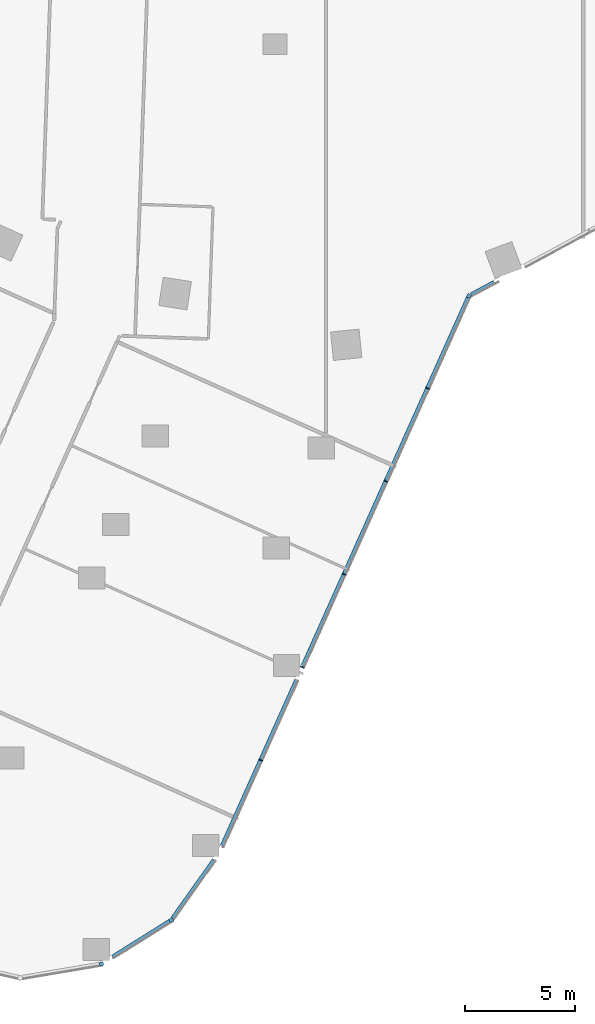
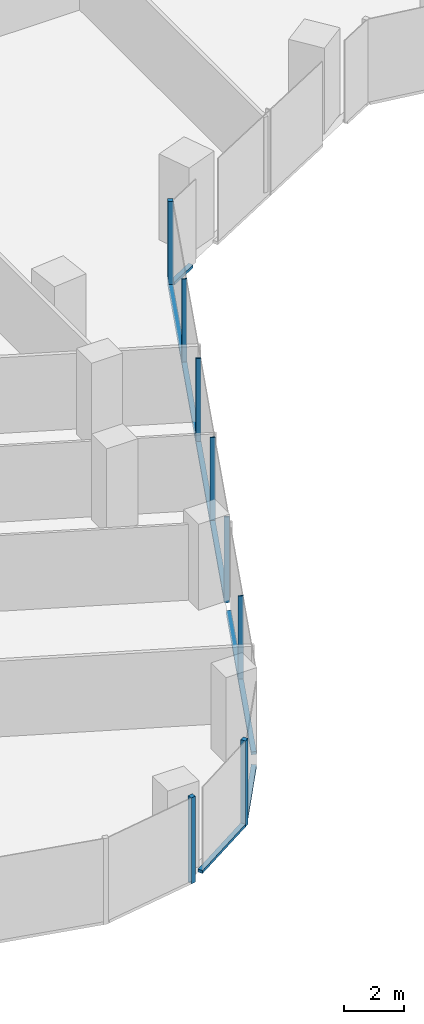
# One storey, part 5 of 34: 13 members, 5 elements without a shape of their own.
"""IFC4 building model written with IfcOpenShell, lengths in metres."""

import ifcopenshell
import ifcopenshell.guid

model = None  # the IFC model being written
_history = None  # IfcOwnerHistory: only IFC2X3 demands one
_inside = {}  # id of a spatial element -> (the spatial element, [elements in it])
_under = {}  # id of a project, library or spatial element -> (it, [spatial elements below it])
_declared = {}  # id of a project -> (the project, [libraries it declares])
_typed = {}  # id of a type object -> (the type object, [elements of that type])
_made_of = {}  # id of a material, layer set ... -> (it, [elements and type objects made of it])


def new_model(schema):
    """Start an empty IFC model of exactly this schema.

    Asked for "IFC4X3", IfcOpenShell would pick the latest addendum, in which some entities
    have other attributes; the version numbers below select the first issue.
    IFC2X3 requires an IfcOwnerHistory on every rooted entity: one is made here for all.
    """
    global model, _history
    if schema == "IFC4X3":
        model = ifcopenshell.file(schema_version=(4, 3, 0, 0))
    else:
        model = ifcopenshell.file(schema=schema)
    _inside.clear()
    _under.clear()
    _declared.clear()
    _typed.clear()
    _made_of.clear()
    _history = None
    if model.schema == "IFC2X3":
        org = make("IfcOrganization", Name="unknown")
        user = make(
            "IfcPersonAndOrganization",
            ThePerson=make("IfcPerson", FamilyName="unknown"),
            TheOrganization=org,
        )
        app = make(
            "IfcApplication",
            ApplicationDeveloper=org,
            Version="unknown",
            ApplicationFullName="unknown",
            ApplicationIdentifier="unknown",
        )
        _history = make(
            "IfcOwnerHistory",
            OwningUser=user,
            OwningApplication=app,
            ChangeAction="ADDED",
            CreationDate=0,
        )
    return model


def make(cls, **values):
    """One entity of the class cls with the attributes given. An attribute that is None is left unset."""
    return model.create_entity(
        cls, **{name: value for name, value in values.items() if value is not None}
    )


def rooted(cls, **values):
    """An entity with a GlobalId (a new one), such as an element, a storey or a relation."""
    return make(cls, GlobalId=ifcopenshell.guid.new(), OwnerHistory=_history, **values)


def si_unit(unit_type, name, prefix=None):
    """IfcSIUnit, for example si_unit("LENGTHUNIT", "METRE", prefix="MILLI")."""
    return make("IfcSIUnit", UnitType=unit_type, Prefix=prefix, Name=name)


def assignment(units):
    """IfcUnitAssignment: the units of a project."""
    return None if units is None else make("IfcUnitAssignment", Units=units)


def point(xyz):
    """IfcCartesianPoint."""
    return None if xyz is None else make("IfcCartesianPoint", Coordinates=xyz)


def direction(xyz):
    """IfcDirection."""
    return None if xyz is None else make("IfcDirection", DirectionRatios=xyz)


def frame(location, z_axis=None, x_axis=None):
    """IfcAxis2Placement3D, a coordinate frame: its origin and axes. An axis left out is left unset."""
    return make(
        "IfcAxis2Placement3D",
        Location=point(location),
        Axis=direction(z_axis),
        RefDirection=direction(x_axis),
    )


def frame_2d(location, x_axis=None):
    """IfcAxis2Placement2D, a coordinate frame in the plane: its origin and x axis."""
    return make(
        "IfcAxis2Placement2D", Location=point(location), RefDirection=direction(x_axis)
    )


def origin():
    """The frame at (0, 0, 0) with its axes left unset."""
    return frame((0.0, 0.0, 0.0))


def origin_2d():
    """The frame at (0, 0) in the plane with its x axis left unset."""
    return frame_2d((0.0, 0.0))


def place(relative_to, where):
    """IfcLocalPlacement: puts the frame where relative to a parent placement (None: the world)."""
    return make(
        "IfcLocalPlacement", PlacementRelTo=relative_to, RelativePlacement=where
    )


def context(
    kind, dimensions, precision=None, world=None, true_north=None, identifier=None
):
    """IfcGeometricRepresentationContext, for example the 3D "Model" context."""
    return make(
        "IfcGeometricRepresentationContext",
        ContextIdentifier=identifier,
        ContextType=kind,
        CoordinateSpaceDimension=dimensions,
        Precision=precision,
        WorldCoordinateSystem=world,
        TrueNorth=true_north,
    )


def subcontext(parent, identifier, kind, view, scale=None):
    """IfcGeometricRepresentationSubContext, for example "Body" below "Model"."""
    return make(
        "IfcGeometricRepresentationSubContext",
        ContextIdentifier=identifier,
        ContextType=kind,
        ParentContext=parent,
        TargetScale=scale,
        TargetView=view,
    )


def project(units=None, contexts=None):
    """IfcProject with its units and contexts."""
    return rooted(
        "IfcProject",
        Name="project",
        RepresentationContexts=contexts,
        UnitsInContext=assignment(units),
    )


def spatial(cls, under=None, at=None, **own):
    """A site, building, storey or space (cls), placed at a placement, below another one or the project."""
    s = rooted(cls, ObjectPlacement=at, **own)
    if under is not None:
        _under.setdefault(under.id(), (under, []))[1].append(s)
    return s


def profile(cls, at=None, kind="AREA", **sizes):
    """A parametric profile (cls). Its sizes go by their IFC names, for example OverallWidth=200.0."""
    return make(cls, ProfileType=kind, Position=at, **sizes)


def rectangle(**sizes):
    """IfcRectangleProfileDef."""
    return profile("IfcRectangleProfileDef", **sizes)


def extrude(swept, where, along, depth):
    """IfcExtrudedAreaSolid: the profile swept, set in the frame where, extruded along a direction by depth."""
    return make(
        "IfcExtrudedAreaSolid",
        SweptArea=swept,
        Position=where,
        ExtrudedDirection=direction(along),
        Depth=depth,
    )


def shape(context_of_items, identifier, shape_type, items):
    """IfcShapeRepresentation: the items that make up one representation, for example the "Body"."""
    return make(
        "IfcShapeRepresentation",
        ContextOfItems=context_of_items,
        RepresentationIdentifier=identifier,
        RepresentationType=shape_type,
        Items=items,
    )


def material(Name=None, Category=None):
    """IfcMaterial."""
    return make("IfcMaterial", Name=Name, Category=Category)


def material_profile(
    of_material, cross_section, Name=None, Category=None, Priority=None
):
    """IfcMaterialProfile: a cross section and its material."""
    return make(
        "IfcMaterialProfile",
        Name=Name,
        Material=of_material,
        Profile=cross_section,
        Priority=Priority,
        Category=Category,
    )


def profile_set(profiles, Name=None, composite=None):
    """IfcMaterialProfileSet."""
    return make(
        "IfcMaterialProfileSet",
        Name=Name,
        MaterialProfiles=profiles,
        CompositeProfile=composite,
    )


def made_of(thing, what):
    """Note that an element or type object is made of a material, layer set ...; save() writes the relation."""
    if what is not None:
        _made_of.setdefault(what.id(), (what, []))[1].append(thing)
    return thing


def type_object(cls, material=None, **own):
    """A type object (cls), such as IfcWallType, which elements share."""
    return made_of(rooted(cls, **own), material)


def element(
    cls,
    number,
    at=None,
    inside=None,
    cuts=None,
    type_object=None,
    material=None,
    context=None,
    identifier="Body",
    shape_type=None,
    held_by="IfcProductDefinitionShape",
    body=None,
    shapes=None,
    **own,
):
    """One element of the class cls, such as IfcWall. Its Tag is "e" and its number.

    at: its placement. inside: the storey or other place that contains it. cuts: it is an
    opening in that element (IfcRelVoidsElement). A single representation is given by context,
    identifier, shape_type and body (its items); several are given by shapes. held_by: the class
    of the entity that holds the representations. save() writes the other relations.
    """
    e = rooted(cls, Tag="e%d" % number, ObjectPlacement=at, **own)
    if body is not None:
        shapes = [shape(context, identifier, shape_type, body)]
    if shapes is not None:
        e.Representation = make(held_by, Representations=shapes)
    if inside is not None:
        _inside.setdefault(inside.id(), (inside, []))[1].append(e)
    if cuts is not None:
        rooted(
            "IfcRelVoidsElement", RelatingBuildingElement=cuts, RelatedOpeningElement=e
        )
    if type_object is not None:
        _typed.setdefault(type_object.id(), (type_object, []))[1].append(e)
    return made_of(e, material)


def aggregate(whole, parts):
    """IfcRelAggregates: a whole, such as a stair, and the parts it consists of."""
    return rooted("IfcRelAggregates", RelatingObject=whole, RelatedObjects=parts)


def save(model, path):
    """Write the relations noted so far, then the file.

    IfcRelAggregates (storeys below a building ...), IfcRelContainedInSpatialStructure (elements
    in a storey), IfcRelDefinesByType, IfcRelAssociatesMaterial and IfcRelDeclares: one each for
    every whole, place, type object, material and project.
    """
    for whole, parts in _under.values():
        aggregate(whole, parts)
    for where, things in _inside.values():
        rooted(
            "IfcRelContainedInSpatialStructure",
            RelatedElements=things,
            RelatingStructure=where,
        )
    for kind, things in _typed.values():
        rooted("IfcRelDefinesByType", RelatedObjects=things, RelatingType=kind)
    for what, things in _made_of.values():
        rooted("IfcRelAssociatesMaterial", RelatedObjects=things, RelatingMaterial=what)
    for by, libraries in _declared.values():
        rooted("IfcRelDeclares", RelatingContext=by, RelatedDefinitions=libraries)
    model.write(path)


model = new_model("IFC4")

# Units and contexts
model_context = context("Model", 3, precision=1e-05, world=origin(), true_north=direction((0.0, 1.0)))
body_context = subcontext(model_context, "Body", "Model", "MODEL_VIEW")
ifc_project = project(units=[si_unit("LENGTHUNIT", "METRE"), si_unit("AREAUNIT", "SQUARE_METRE"), si_unit("VOLUMEUNIT", "CUBIC_METRE"), si_unit("PLANEANGLEUNIT", "RADIAN"), si_unit("MASSUNIT", "GRAM", prefix="KILO")], contexts=[model_context])

# Site, building, storey
site_placement = place(None, origin())
site = spatial("IfcSite", under=ifc_project, at=site_placement, CompositionType="ELEMENT")
building_placement = place(site_placement, origin())
building = spatial("IfcBuilding", under=site, at=building_placement, Name="Orlundy Tower", CompositionType="ELEMENT")
storey_placement = place(building_placement, frame((0.0, 0.0, 130.699951171875)))
storey = spatial("IfcBuildingStorey", under=building, at=storey_placement, Name="L33", CompositionType="ELEMENT", Elevation=130.699951171875)

# Curtain wall, member
ifc_material_1 = material(Name="Aluminium bronze anodised", Category="aluminium")
curtain_wall_type = type_object("IfcCurtainWallType", Name="CW1 wall", PredefinedType="NOTDEFINED", material=ifc_material_1)
curtain_wall_1_placement = place(storey_placement, origin())
curtain_wall_1 = element("IfcCurtainWall", 1, at=curtain_wall_1_placement, inside=storey, type_object=curtain_wall_type, Name="CW1 run 018", PredefinedType="NOTDEFINED")
ifc_material_2 = material(Name="Aluminium bronze anodised", Category="aluminium")
ifc_material_profile_1 = material_profile(ifc_material_2, rectangle(XDim=0.179931640625, YDim=0.179931640625, at=origin_2d()), Name="CW1 corner post 180x180")
ifc_profile_set_1 = profile_set([ifc_material_profile_1], Name="Aluminium bronze anodised")
member_type_1 = type_object("IfcMemberType", Name="CW1 corner post 180x180", PredefinedType="MULLION", material=ifc_profile_set_1)
member_1_placement = place(storey_placement, frame((8.8125, -29.433837890625, -0.39990234375), z_axis=(0.0, 0.0, 1.0), x_axis=(0.912352676112, -0.409405171428, 0.0)))
member_1 = element("IfcMember", 2, at=member_1_placement, type_object=member_type_1, Name="CW1 mullion 51", PredefinedType="MULLION", context=body_context, shape_type="SweptSolid", body=[
    extrude(rectangle(XDim=0.179931640625, YDim=0.179931640625, at=origin_2d()), origin(), (0.0, 0.0, 1.0), 3.5),
])

curtain_wall_2_placement = place(storey_placement, origin())
curtain_wall_2 = element("IfcCurtainWall", 3, at=curtain_wall_2_placement, inside=storey, type_object=curtain_wall_type, Name="CW1 run 020", PredefinedType="NOTDEFINED")
member_2_placement = place(storey_placement, frame((-4.717041015625, -57.8056640625, -0.39990234375), z_axis=(0.0, 0.0, 1.0), x_axis=(0.531138080086, -0.847285276564, 0.0)))
member_2 = element("IfcMember", 4, at=member_2_placement, type_object=member_type_1, Name="CW1 mullion 58", PredefinedType="MULLION", context=body_context, shape_type="SweptSolid", body=[
    extrude(rectangle(XDim=0.179931640625, YDim=0.179931640625, at=origin_2d()), origin(), (0.0, 0.0, 1.0), 3.5),
])

curtain_wall_3_placement = place(storey_placement, origin())
curtain_wall_3 = element("IfcCurtainWall", 5, at=curtain_wall_3_placement, inside=storey, type_object=curtain_wall_type, Name="CW1 run 021", PredefinedType="NOTDEFINED")
member_3_placement = place(storey_placement, frame((-7.888427734375, -59.793701171875, -0.39990234375), z_axis=(0.0, 0.0, 1.0), x_axis=(0.166454797856, -0.986049086137, 0.0)))
member_3 = element("IfcMember", 6, at=member_3_placement, type_object=member_type_1, Name="CW1 mullion 59", PredefinedType="MULLION", context=body_context, shape_type="SweptSolid", body=[
    extrude(rectangle(XDim=0.179931640625, YDim=0.179931640625, at=origin_2d()), origin(), (0.0, 0.0, 1.0), 3.5),
])
aggregate(curtain_wall_3, [member_3])

# Member
ifc_material_3 = material(Name="Aluminium bronze anodised", Category="aluminium")
ifc_material_profile_2 = material_profile(ifc_material_3, rectangle(XDim=0.179931640625, YDim=0.050048828125, at=origin_2d()), Name="CW1 mullion 50x180")
ifc_profile_set_2 = profile_set([ifc_material_profile_2], Name="Aluminium bronze anodised")
member_type_2 = type_object("IfcMemberType", Name="CW1 mullion 50x180", PredefinedType="MULLION", material=ifc_profile_set_2)
member_4_placement = place(storey_placement, frame((6.92919921875, -33.630615234375, -0.39990234375), z_axis=(0.0, 0.0, 1.0), x_axis=(0.912352676112, -0.409405171428, 0.0)))
member_4 = element("IfcMember", 7, at=member_4_placement, type_object=member_type_2, Name="CW1 mullion 52", PredefinedType="MULLION", context=body_context, shape_type="SweptSolid", body=[
    extrude(rectangle(XDim=0.179931640625, YDim=0.050048828125, at=origin_2d()), origin(), (0.0, 0.0, 1.0), 3.5),
])

member_5_placement = place(storey_placement, frame((5.033447265625, -37.85546875, -0.39990234375), z_axis=(0.0, 0.0, 1.0), x_axis=(0.912352676112, -0.409405171428, 0.0)))
member_5 = element("IfcMember", 8, at=member_5_placement, type_object=member_type_2, Name="CW1 mullion 53", PredefinedType="MULLION", context=body_context, shape_type="SweptSolid", body=[
    extrude(rectangle(XDim=0.179931640625, YDim=0.050048828125, at=origin_2d()), origin(), (0.0, 0.0, 1.0), 3.5),
])

member_6_placement = place(storey_placement, frame((3.1376953125, -42.080322265625, -0.39990234375), z_axis=(0.0, 0.0, 1.0), x_axis=(0.912352676112, -0.409405171428, 0.0)))
member_6 = element("IfcMember", 9, at=member_6_placement, type_object=member_type_2, Name="CW1 mullion 54", PredefinedType="MULLION", context=body_context, shape_type="SweptSolid", body=[
    extrude(rectangle(XDim=0.179931640625, YDim=0.050048828125, at=origin_2d()), origin(), (0.0, 0.0, 1.0), 3.5),
])

member_7_placement = place(storey_placement, frame((1.24169921875, -46.30517578125, -0.39990234375), z_axis=(0.0, 0.0, 1.0), x_axis=(0.912352676112, -0.409405171428, 0.0)))
member_7 = element("IfcMember", 10, at=member_7_placement, type_object=member_type_2, Name="CW1 mullion 55", PredefinedType="MULLION", context=body_context, shape_type="SweptSolid", body=[
    extrude(rectangle(XDim=0.179931640625, YDim=0.050048828125, at=origin_2d()), origin(), (0.0, 0.0, 1.0), 3.5),
])

member_8_placement = place(storey_placement, frame((-0.654052734375, -50.530029296875, -0.39990234375), z_axis=(0.0, 0.0, 1.0), x_axis=(0.912352676112, -0.409405171428, 0.0)))
member_8 = element("IfcMember", 11, at=member_8_placement, type_object=member_type_2, Name="CW1 mullion 56", PredefinedType="MULLION", context=body_context, shape_type="SweptSolid", body=[
    extrude(rectangle(XDim=0.179931640625, YDim=0.050048828125, at=origin_2d()), origin(), (0.0, 0.0, 1.0), 3.5),
])

# Curtain wall, member
curtain_wall_4_placement = place(storey_placement, origin())
curtain_wall_4 = element("IfcCurtainWall", 12, at=curtain_wall_4_placement, inside=storey, type_object=curtain_wall_type, Name="CW1 run 017", PredefinedType="NOTDEFINED")
ifc_material_4 = material(Name="Aluminium bronze anodised", Category="aluminium")
ifc_material_profile_3 = material_profile(ifc_material_4, rectangle(XDim=0.179931640625, YDim=0.1201171875, at=origin_2d()), Name="CW1 transom 180x120")
ifc_profile_set_3 = profile_set([ifc_material_profile_3], Name="Aluminium bronze anodised")
member_type_3 = type_object("IfcMemberType", Name="CW1 transom 180x120", PredefinedType="USERDEFINED", material=ifc_profile_set_3)
member_9_placement = place(storey_placement, frame((9.961669921875, -28.81396484375, -0.33984375), z_axis=(-0.880155276698, -0.474685884455, 0.0), x_axis=(0.474685884455, -0.880155276698, 0.0)))
member_9 = element("IfcMember", 13, at=member_9_placement, type_object=member_type_3, Name="CW1 transom", ObjectType="TRANSOM", PredefinedType="USERDEFINED", context=body_context, shape_type="SweptSolid", body=[
    extrude(rectangle(XDim=0.179931640625, YDim=0.1201171875, at=origin_2d()), origin(), (0.0, 0.0, 1.0), 1.192138671875),
])
aggregate(curtain_wall_4, [member_9])

# Member
member_10_placement = place(storey_placement, frame((8.77587890625, -29.515869140625, -0.33984375), z_axis=(-0.409407216328, -0.912351758489, 0.0), x_axis=(0.912351758489, -0.409407216328, 0.0)))
member_10 = element("IfcMember", 14, at=member_10_placement, type_object=member_type_3, Name="CW1 transom", ObjectType="TRANSOM", PredefinedType="USERDEFINED", context=body_context, shape_type="SweptSolid", body=[
    extrude(rectangle(XDim=0.179931640625, YDim=0.1201171875, at=origin_2d()), origin(), (0.0, 0.0, 1.0), 18.3359375),
])

member_11_placement = place(storey_placement, frame((0.9833984375, -46.881103515625, -0.33984375), z_axis=(-0.409420400419, -0.912345842168, 0.0), x_axis=(0.912345842168, -0.409420400419, 0.0)))
member_11 = element("IfcMember", 15, at=member_11_placement, type_object=member_type_3, Name="CW1 transom", ObjectType="TRANSOM", PredefinedType="USERDEFINED", context=body_context, shape_type="SweptSolid", body=[
    extrude(rectangle(XDim=0.179931640625, YDim=0.1201171875, at=origin_2d()), origin(), (0.0, 0.0, 1.0), 8.26904296875),
])

aggregate(curtain_wall_1, [member_1, member_4, member_5, member_6, member_7, member_8, member_10, member_11])

# Curtain wall, member
curtain_wall_5_placement = place(storey_placement, origin())
curtain_wall_5 = element("IfcCurtainWall", 16, at=curtain_wall_5_placement, inside=storey, type_object=curtain_wall_type, Name="CW1 run 019", PredefinedType="NOTDEFINED")
member_12_placement = place(storey_placement, frame((-2.76611328125, -55.06201171875, -0.33984375), z_axis=(-0.579506151389, -0.814967864705, 0.0), x_axis=(0.814967864705, -0.579506151389, 0.0)))
member_12 = element("IfcMember", 17, at=member_12_placement, type_object=member_type_3, Name="CW1 transom", ObjectType="TRANSOM", PredefinedType="USERDEFINED", context=body_context, shape_type="SweptSolid", body=[
    extrude(rectangle(XDim=0.179931640625, YDim=0.1201171875, at=origin_2d()), origin(), (0.0, 0.0, 1.0), 3.269287109375),
])
aggregate(curtain_wall_5, [member_12])

# Member
member_13_placement = place(storey_placement, frame((-4.793212890625, -57.853515625, -0.33984375), z_axis=(-0.847297814047, -0.531118079442, 0.0), x_axis=(0.531118079442, -0.847297814047, 0.0)))
member_13 = element("IfcMember", 18, at=member_13_placement, type_object=member_type_3, Name="CW1 transom", ObjectType="TRANSOM", PredefinedType="USERDEFINED", context=body_context, shape_type="SweptSolid", body=[
    extrude(rectangle(XDim=0.179931640625, YDim=0.1201171875, at=origin_2d()), origin(), (0.0, 0.0, 1.0), 3.057861328125),
])

aggregate(curtain_wall_2, [member_2, member_13])

save(model, "model.ifc")
